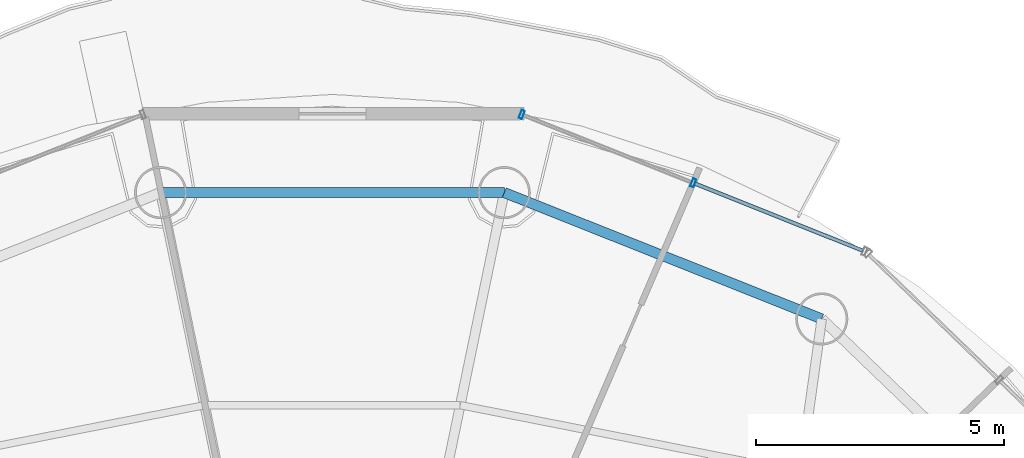
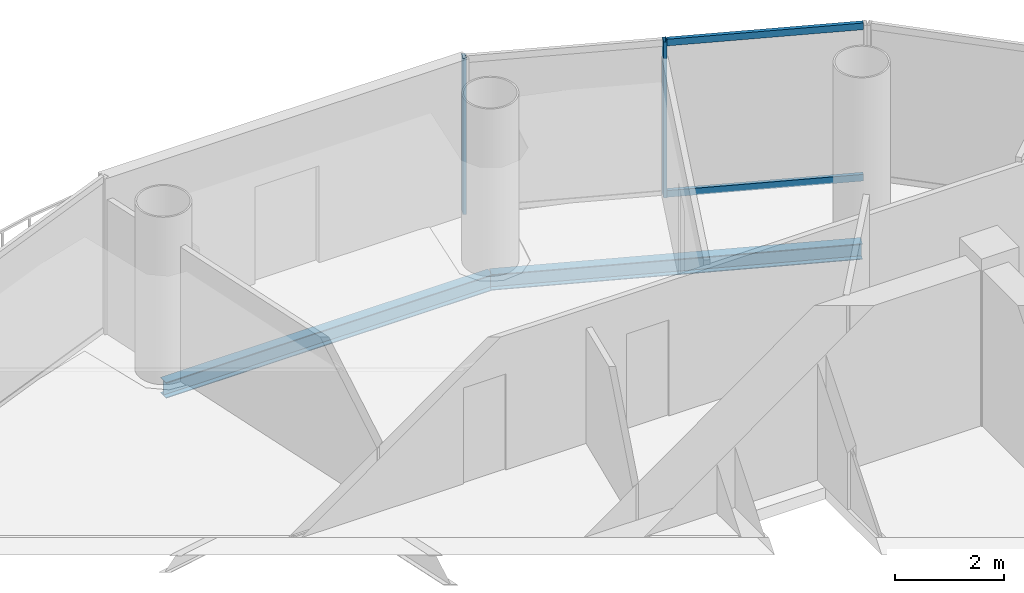
# One storey, part 14 of 23: 4 members, 2 beams, 1 element without a shape of its own.
"""IFC4 building model written with IfcOpenShell, lengths in metres."""

from ifc_helpers import new_model, si_unit, direction, frame, origin, origin_2d, place, context, subcontext, project, spatial, hollow_rectangle, i_section, extrude, source, transform, mapped, material, material_profile, profile_set, type_object, element, aggregate, save


model = new_model("IFC4")

# Units and contexts
model_context = context("Model", 3, precision=1e-05, world=origin(), true_north=direction((-0.2419218956, 0.970295726276)))
body_context = subcontext(model_context, "Body", "Model", "MODEL_VIEW")
ifc_project = project(units=[si_unit("LENGTHUNIT", "METRE"), si_unit("AREAUNIT", "SQUARE_METRE"), si_unit("VOLUMEUNIT", "CUBIC_METRE"), si_unit("PLANEANGLEUNIT", "RADIAN"), si_unit("MASSUNIT", "GRAM", prefix="KILO")], contexts=[model_context])

# Site, building, storey
site_placement = place(None, origin())
site = spatial("IfcSite", under=ifc_project, at=site_placement, CompositionType="ELEMENT")
building_placement = place(site_placement, origin())
building = spatial("IfcBuilding", under=site, at=building_placement, Name="Cobrevalo Terracotta Tower", CompositionType="ELEMENT")
storey_placement = place(building_placement, frame((0.0, 0.0, 259.449951171875)))
storey = spatial("IfcBuildingStorey", under=building, at=storey_placement, Name="L68", CompositionType="ELEMENT", Elevation=259.449951171875)

# Beams
ifc_material_1 = material(Name="Steel S355", Category="steel")
ifc_material_profile_1 = material_profile(ifc_material_1, i_section(OverallWidth=0.205078125, OverallDepth=0.35400390625, WebThickness=0.009521484375, FlangeThickness=0.016845703125, at=origin_2d()), Name="W 360x79")
ifc_profile_set_1 = profile_set([ifc_material_profile_1], Name="Steel S355")
beam_type = type_object("IfcBeamType", Name="Structural Spandrel W 360x79 (Steel S355)", PredefinedType="SPANDREL", material=ifc_profile_set_1)
beam_1_placement = place(storey_placement, frame((47.861328125, 40.9765625, -0.43701171875), z_axis=(-0.929149986048, 0.369702993533, 0.0), x_axis=(-0.369702993533, -0.929149986048, 0.0)))
element("IfcBeam", 1, at=beam_1_placement, inside=storey, type_object=beam_type, Name="L68 perimeter ring spandrel 03", PredefinedType="SPANDREL", context=body_context, shape_type="SweptSolid", body=[
    extrude(i_section(OverallWidth=0.205078125, OverallDepth=0.35400390625, WebThickness=0.009521484375, FlangeThickness=0.016845703125, at=origin_2d()), origin(), (0.0, 0.0, 1.0), 6.88623046875),
])
beam_2_placement = place(storey_placement, frame((41.462890625, 43.5224609375, -0.43701171875), z_axis=(-1.0, 0.0, 0.0), x_axis=(0.0, -1.0, 0.0)))
element("IfcBeam", 2, at=beam_2_placement, inside=storey, type_object=beam_type, Name="L68 perimeter ring spandrel 04", PredefinedType="SPANDREL", context=body_context, shape_type="SweptSolid", body=[
    extrude(i_section(OverallWidth=0.205078125, OverallDepth=0.35400390625, WebThickness=0.009521484375, FlangeThickness=0.016845703125, at=origin_2d()), origin(), (0.0, 0.0, 1.0), 6.92578125),
])

# Curtain wall, members
ifc_material_2 = material(Name="Anodized aluminium", Category="aluminium")
curtain_wall_type = type_object("IfcCurtainWallType", Name="Upper-tower triple-glazed penthouse curtain wall CW-U3", PredefinedType="NOTDEFINED", material=ifc_material_2)
curtain_wall_placement = place(storey_placement, origin())
curtain_wall = element("IfcCurtainWall", 3, at=curtain_wall_placement, inside=storey, type_object=curtain_wall_type, Name="L68 curtain wall CW-L68-S03", PredefinedType="NOTDEFINED")
ifc_material_profile_2 = material_profile(ifc_material_2, hollow_rectangle(XDim=0.070068359375, YDim=0.169921875, WallThickness=0.00439453125, at=origin_2d()), Name="CWM 70x170")
ifc_profile_set_2 = profile_set([ifc_material_profile_2], Name="Anodized aluminium")
member_type_1 = type_object("IfcMemberType", Name="Upper tower unitised mullion 70x170", PredefinedType="MULLION", material=ifc_profile_set_2)
shared_shape_1 = source(origin(), body_context, "Body", "SweptSolid", [
    extrude(hollow_rectangle(XDim=0.070068359375, YDim=0.169921875, WallThickness=0.00439453125, at=origin_2d()), origin(), (0.0, 0.0, 1.0), 3.489990234375),
])
member_1_placement = place(storey_placement, frame((45.270263671875, 43.71728515625, 0.0), z_axis=(0.0, 0.0, 1.0), x_axis=(-0.928718980883, 0.370784377433, 0.0)))
member_1 = element("IfcMember", 4, at=member_1_placement, type_object=member_type_1, Name="CW-L68-S03 vertical mullion 02", PredefinedType="MULLION", context=body_context, shape_type="MappedRepresentation", body=[
    mapped(shared_shape_1, transform((0.0, 0.0, 0.0), scale=1.0)),
])
member_2_placement = place(storey_placement, frame((41.816162109375, 45.096435546875, 0.0), z_axis=(0.0, 0.0, 1.0), x_axis=(-0.928718980883, 0.370784377433, 0.0)))
member_2 = element("IfcMember", 5, at=member_2_placement, type_object=member_type_1, Name="CW-L68-S03 vertical mullion 03", PredefinedType="MULLION", context=body_context, shape_type="MappedRepresentation", body=[
    mapped(shared_shape_1, transform((0.0, 0.0, 0.0), scale=1.0)),
])
ifc_material_profile_3 = material_profile(ifc_material_2, hollow_rectangle(XDim=0.074951171875, YDim=0.14990234375, WallThickness=0.00439453125, at=origin_2d()), Name="CWT 75x150")
ifc_profile_set_3 = profile_set([ifc_material_profile_3], Name="Anodized aluminium")
member_type_2 = type_object("IfcMemberType", Name="Tower unitised aluminium transom 75x150", PredefinedType="USERDEFINED", material=ifc_profile_set_3)
shared_shape_2 = source(origin(), body_context, "Body", "SweptSolid", [
    extrude(hollow_rectangle(XDim=0.074951171875, YDim=0.14990234375, WallThickness=0.00439453125, at=origin_2d()), origin(), (0.0, 0.0, 1.0), 3.63916015625),
])
member_3_placement = place(storey_placement, frame((48.68701171875, 42.353271484375, 0.050048828125), z_axis=(-0.928712471544, 0.370800681227, 0.0), x_axis=(-0.370800681227, -0.928712471544, 0.0)))
member_3 = element("IfcMember", 6, at=member_3_placement, type_object=member_type_2, Name="CW-L68-S03 transom B01-T1", ObjectType="TRANSOM", PredefinedType="USERDEFINED", context=body_context, shape_type="MappedRepresentation", body=[
    mapped(shared_shape_2, transform((0.0, 0.0, 0.0), scale=1.0)),
])
member_4_placement = place(storey_placement, frame((48.68701171875, 42.353271484375, 3.43994140625), z_axis=(-0.928712471544, 0.370800681227, 0.0), x_axis=(-0.370800681227, -0.928712471544, 0.0)))
member_4 = element("IfcMember", 7, at=member_4_placement, type_object=member_type_2, Name="CW-L68-S03 transom B01-T2", ObjectType="TRANSOM", PredefinedType="USERDEFINED", context=body_context, shape_type="MappedRepresentation", body=[
    mapped(shared_shape_2, transform((0.0, 0.0, 0.0), scale=1.0)),
])
aggregate(curtain_wall, [member_1, member_2, member_3, member_4])

save(model, "model.ifc")
